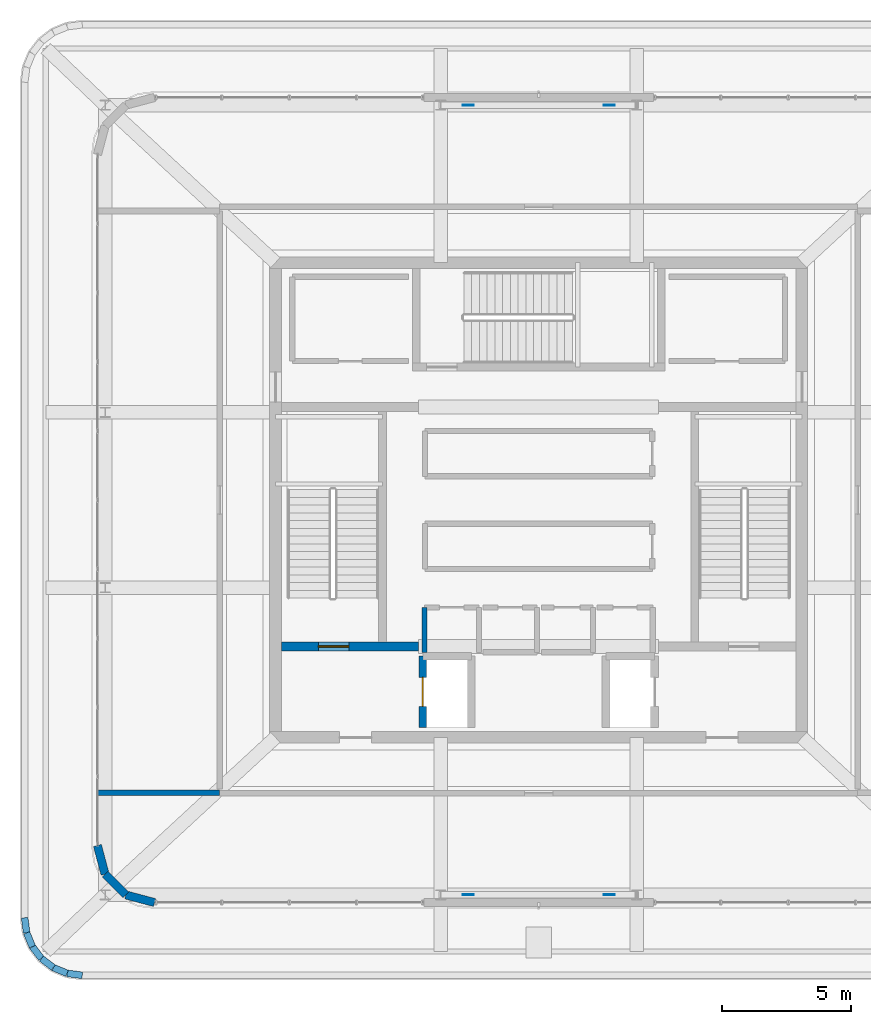
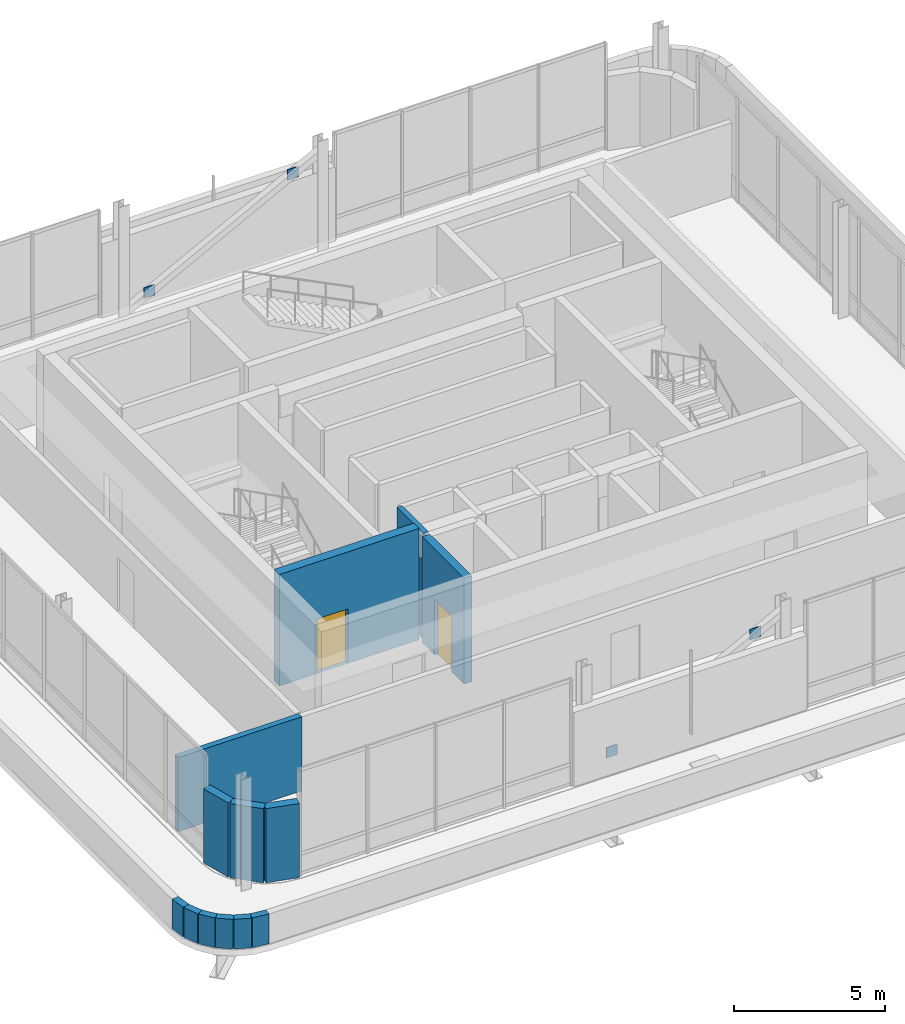
# One storey, part 22 of 28: 13 walls, 4 plates, 2 doors, 2 openings.
"""IFC4 building model written with IfcOpenShell, lengths in metres."""

from ifc_helpers import new_model, si_unit, direction, frame, frame_2d, origin, origin_2d, place, context, subcontext, project, spatial, rectangle, extrude, material, layer, layer_set, type_object, element, fill, save


model = new_model("IFC4")

# Units and contexts
model_context = context("Model", 3, precision=1e-05, world=origin(), true_north=direction((0.0, 1.0)))
body_context = subcontext(model_context, "Body", "Model", "MODEL_VIEW")
ifc_project = project(units=[si_unit("LENGTHUNIT", "METRE"), si_unit("AREAUNIT", "SQUARE_METRE"), si_unit("VOLUMEUNIT", "CUBIC_METRE"), si_unit("PLANEANGLEUNIT", "RADIAN"), si_unit("MASSUNIT", "GRAM", prefix="KILO")], contexts=[model_context])

# Site, building, storey
site_placement = place(None, origin())
site = spatial("IfcSite", under=ifc_project, at=site_placement, CompositionType="ELEMENT")
building_placement = place(site_placement, origin())
building = spatial("IfcBuilding", under=site, at=building_placement, Name="Punatoya Terracotta Tower", CompositionType="ELEMENT")
storey_placement = place(building_placement, frame((0.0, 0.0, 352.800048828125)))
storey = spatial("IfcBuildingStorey", under=building, at=storey_placement, Name="L83", CompositionType="ELEMENT", Elevation=352.800048828125)

# Plates
ifc_material_1 = material(Name="Steel S460", Category="steel")
ifc_layer_1 = layer(ifc_material_1, 0.031982421875)
ifc_layer_set_1 = layer_set([ifc_layer_1], Name="Steel S460")
plate_type = type_object("IfcPlateType", Name="PLT-END-32", PredefinedType="USERDEFINED", material=ifc_layer_set_1)
for number, where, z_axis, x_axis, name in (
    (1, (-2.736083984375, -15.300048828125, 0.364501953125), (0.0, 0.0, 1.0), (1.0, 0.0, 0.0), "L83 Crown Brace S End Plate 1"),
    (2, (2.736083984375, -15.300048828125, 3.215576171875), (0.0, 0.0, 1.0), (1.0, 0.0, 0.0), "L83 Crown Brace S End Plate 2"),
    (3, (-2.736083984375, 15.300048828125, 0.364501953125), (0.0, 0.0, 1.0), (1.0, 0.0, 0.0), "L83 Crown Brace N End Plate 1"),
    (4, (2.736083984375, 15.300048828125, 3.215576171875), (0.0, 0.0, 1.0), (1.0, 0.0, 0.0), "L83 Crown Brace N End Plate 2"),
):
    element("IfcPlate", number, at=place(storey_placement, frame(where, z_axis=z_axis, x_axis=x_axis)), inside=storey, type_object=plate_type, Name=name, ObjectType="FLANGE_PLATE", PredefinedType="USERDEFINED", context=body_context, shape_type="SweptSolid", body=[
        extrude(rectangle(XDim=0.419921875, YDim=0.031982421875, at=origin_2d()), origin(), (0.0, 0.0, 1.0), 0.419921875),
    ])

# Walls
ifc_material_2 = material(Name="Precast concrete C40/50", Category="concrete")
ifc_layer_2 = layer(ifc_material_2, 0.320068359375)
ifc_layer_set_2 = layer_set([ifc_layer_2], Name="Precast concrete C40/50")
wall_type_1 = type_object("IfcWallType", Name="WL-EXT-320", PredefinedType="SOLIDWALL", material=ifc_layer_set_2)
wall_1_placement = place(storey_placement, frame((-17.10009765625, -13.386962890625, 0.0), z_axis=(0.0, 0.0, 1.0), x_axis=(0.257530614576, -0.966270139534, 0.0)))
element("IfcWall", 5, at=wall_1_placement, inside=storey, type_object=wall_type_1, Name="L83 Rounded Terracotta Corner Pier 14", PredefinedType="SOLIDWALL", context=body_context, shape_type="SweptSolid", body=[
    extrude(rectangle(XDim=1.15087890625, YDim=0.320068359375, at=frame_2d((0.575439453125, 0.0))), origin(), (0.0, 0.0, 1.0), 2.993896484375),
])
wall_2_placement = place(storey_placement, frame((-16.8037109375, -14.4990234375, 0.0), z_axis=(0.0, 0.0, 1.0), x_axis=(0.707106781187, -0.707106781187, 0.0)))
element("IfcWall", 6, at=wall_2_placement, inside=storey, type_object=wall_type_1, Name="L83 Rounded Terracotta Corner Pier 15", PredefinedType="SOLIDWALL", context=body_context, shape_type="SweptSolid", body=[
    extrude(rectangle(XDim=1.137939453125, YDim=0.320068359375, at=frame_2d((0.56884765625, 0.0))), origin(), (0.0, 0.0, 1.0), 2.993896484375),
])
wall_3_placement = place(storey_placement, frame((-15.9990234375, -15.3037109375, 0.0), z_axis=(0.0, 0.0, 1.0), x_axis=(0.966270139534, -0.257530614576, 0.0)))
element("IfcWall", 7, at=wall_3_placement, inside=storey, type_object=wall_type_1, Name="L83 Rounded Terracotta Corner Pier 16", PredefinedType="SOLIDWALL", context=body_context, shape_type="SweptSolid", body=[
    extrude(rectangle(XDim=1.15087890625, YDim=0.320068359375, at=frame_2d((0.575439453125, 0.0))), origin(), (0.0, 0.0, 1.0), 2.993896484375),
])
ifc_material_3 = material(Name="Concrete C40/50", Category="concrete")
ifc_layer_3 = layer(ifc_material_3, 0.219970703125)
ifc_layer_set_3 = layer_set([ifc_layer_3], Name="Concrete C40/50")
wall_type_2 = type_object("IfcWallType", Name="WL-FIR-220", PredefinedType="SOLIDWALL", material=ifc_layer_set_3)
wall_4_placement = place(storey_placement, frame((-17.080078125, -11.35009765625, 0.0), z_axis=(0.0, 0.0, 1.0), x_axis=(1.0, 0.0, 0.0)))
element("IfcWall", 8, at=wall_4_placement, inside=storey, type_object=wall_type_2, Name="L83 Crown South Heat-Rejection and Cooling-Tower Plant Partition 26", PredefinedType="SOLIDWALL", context=body_context, shape_type="SweptSolid", body=[
    extrude(rectangle(XDim=4.719970703125, YDim=0.219970703125, at=frame_2d((2.35986328125, 0.0))), origin(), (0.0, 0.0, 1.0), 2.993896484375),
])
ifc_layer_4 = layer(ifc_material_3, 0.199951171875)
ifc_layer_set_4 = layer_set([ifc_layer_4], Name="Concrete C40/50")
wall_type_3 = type_object("IfcWallType", Name="WL-INT-200", PredefinedType="SOLIDWALL", material=ifc_layer_set_4)
wall_5_placement = place(storey_placement, frame((-4.419921875, -4.159912109375, 0.0), z_axis=(0.0, 0.0, 1.0), x_axis=(0.0, -1.0, 0.0)))
element("IfcWall", 9, at=wall_5_placement, inside=storey, type_object=wall_type_3, Name="L83 Staff Male Washroom Partition 03", PredefinedType="SOLIDWALL", context=body_context, shape_type="SweptSolid", body=[
    extrude(rectangle(XDim=1.739990234375, YDim=0.199951171875, at=frame_2d((0.8701171875, 0.0))), origin(), (0.0, 0.0, 1.0), 4.280029296875),
])
ifc_layer_5 = layer(ifc_material_2, 0.260009765625)
ifc_layer_set_5 = layer_set([ifc_layer_5], Name="Precast concrete C40/50")
wall_type_4 = type_object("IfcWallType", Name="WL-PAR-260", PredefinedType="PARAPET", material=ifc_layer_set_5)
wall_6_placement = place(storey_placement, frame((-19.919921875, -16.188232421875, 0.0), z_axis=(0.0, 0.0, 1.0), x_axis=(0.130540000708, -0.991443043354, 0.0)))
element("IfcWall", 10, at=wall_6_placement, inside=storey, type_object=wall_type_4, Name="L83 Roof Parapet Wall PAR-L83-STEP-22", PredefinedType="PARAPET", context=body_context, shape_type="SweptSolid", body=[
    extrude(rectangle(XDim=0.591064453125, YDim=0.260009765625, at=frame_2d((0.29541015625, 0.0))), origin(), (0.0, 0.0, 1.0), 1.199951171875),
])
wall_7_placement = place(storey_placement, frame((-19.8427734375, -16.774169921875, 0.0), z_axis=(0.0, 0.0, 1.0), x_axis=(0.38248836172, -0.923960309293, 0.0)))
element("IfcWall", 11, at=wall_7_placement, inside=storey, type_object=wall_type_4, Name="L83 Roof Parapet Wall PAR-L83-STEP-23", PredefinedType="PARAPET", context=body_context, shape_type="SweptSolid", body=[
    extrude(rectangle(XDim=0.578857421875, YDim=0.260009765625, at=frame_2d((0.28955078125, 0.0))), origin(), (0.0, 0.0, 1.0), 1.199951171875),
])
for number, where, z_axis, x_axis, name in (
    (12, (-19.621337890625, -17.30908203125, 0.0), (0.0, 0.0, 1.0), (0.608528857647, -0.793531744425, 0.0), "L83 Roof Parapet Wall PAR-L83-STEP-24"),
    (13, (-19.268798828125, -17.768798828125, 0.0), (0.0, 0.0, 1.0), (0.793531744425, -0.608528857647, 0.0), "L83 Roof Parapet Wall PAR-L83-STEP-25"),
):
    element("IfcWall", number, at=place(storey_placement, frame(where, z_axis=z_axis, x_axis=x_axis)), inside=storey, type_object=wall_type_4, Name=name, PredefinedType="PARAPET", context=body_context, shape_type="SweptSolid", body=[
        extrude(rectangle(XDim=0.579345703125, YDim=0.260009765625, at=frame_2d((0.28955078125, 0.0))), origin(), (0.0, 0.0, 1.0), 1.199951171875),
    ])
wall_8_placement = place(storey_placement, frame((-18.80908203125, -18.121337890625, 0.0), z_axis=(0.0, 0.0, 1.0), x_axis=(0.923960309293, -0.38248836172, 0.0)))
element("IfcWall", 14, at=wall_8_placement, inside=storey, type_object=wall_type_4, Name="L83 Roof Parapet Wall PAR-L83-STEP-26", PredefinedType="PARAPET", context=body_context, shape_type="SweptSolid", body=[
    extrude(rectangle(XDim=0.578857421875, YDim=0.260009765625, at=frame_2d((0.28955078125, 0.0))), origin(), (0.0, 0.0, 1.0), 1.199951171875),
])
wall_9_placement = place(storey_placement, frame((-18.274169921875, -18.3427734375, 0.0), z_axis=(0.0, 0.0, 1.0), x_axis=(0.991443043354, -0.130540000708, 0.0)))
element("IfcWall", 15, at=wall_9_placement, inside=storey, type_object=wall_type_4, Name="L83 Roof Parapet Wall PAR-L83-STEP-27", PredefinedType="PARAPET", context=body_context, shape_type="SweptSolid", body=[
    extrude(rectangle(XDim=0.591064453125, YDim=0.260009765625, at=frame_2d((0.29541015625, 0.0))), origin(), (0.0, 0.0, 1.0), 1.199951171875),
])

# Wall, opening, door
ifc_layer_6 = layer(ifc_material_3, 0.300048828125)
ifc_layer_set_6 = layer_set([ifc_layer_6], Name="Concrete C40/50")
wall_type_5 = type_object("IfcWallType", Name="WL-SHF-300", PredefinedType="SOLIDWALL", material=ifc_layer_set_6)
wall_10_placement = place(storey_placement, frame((-4.489990234375, -8.820068359375, 0.0), z_axis=(0.0, 0.0, 1.0), x_axis=(0.0, 1.0, 0.0)))
wall_10 = element("IfcWall", 16, at=wall_10_placement, inside=storey, type_object=wall_type_5, Name="L83 FFL-1 Front Hoistway Wall", PredefinedType="SOLIDWALL", context=body_context, shape_type="SweptSolid", body=[
    extrude(rectangle(XDim=2.77001953125, YDim=0.300048828125, at=frame_2d((1.385009765625, 0.0))), origin(), (0.0, 0.0, 1.0), 4.280029296875),
])
opening_1_placement = place(wall_10_placement, frame((0.824951171875, 0.0, 0.0)))
opening_1 = element("IfcOpeningElement", 17, at=opening_1_placement, cuts=wall_10, Name="Opening LD-02", PredefinedType="OPENING", context=body_context, shape_type="SweptSolid", body=[
    extrude(rectangle(XDim=1.1201171875, YDim=2.25, at=frame_2d((0.56005859375, 1.125))), frame((0.0, 0.159912109375, 0.0), z_axis=(0.0, -1.0, 0.0), x_axis=(1.0, 0.0, 0.0)), (0.0, 0.0, 1.0), 0.320068359375),
])
ifc_material_4 = material(Name="Stainless Steel Lift Landing Door", Category="steel")
door_type_1 = type_object("IfcDoorType", Name="DR-LND-1120", OperationType="NOTDEFINED", PredefinedType="DOOR", material=ifc_material_4)
door_1_placement = place(opening_1_placement, origin())
door_1 = element("IfcDoor", 18, at=door_1_placement, inside=storey, type_object=door_type_1, Name="L83 Firefighting Lift FFL-1 Sliding Landing Door", OperationType="SLIDING_TO_LEFT", OverallHeight=2.25, OverallWidth=1.1201171875, PredefinedType="DOOR", context=body_context, shape_type="SweptSolid", body=[
    extrude(rectangle(XDim=1.1201171875, YDim=2.25, at=frame_2d((0.56005859375, 1.125))), frame((0.0, 0.02490234375, 0.0), z_axis=(0.0, -1.0, 0.0), x_axis=(1.0, 0.0, 0.0)), (0.0, 0.0, 1.0), 0.050048828125),
])
fill(opening_1, door_1)

ifc_material_5 = material(Name="Concrete C50/60", Category="concrete")
ifc_layer_7 = layer(ifc_material_5, 0.35009765625)
ifc_layer_set_7 = layer_set([ifc_layer_7], Name="Concrete C50/60")
wall_type_6 = type_object("IfcWallType", Name="WL-SHF-350", PredefinedType="SOLIDWALL", material=ifc_layer_set_7)
wall_11_placement = place(storey_placement, frame((-9.97509765625, -5.679931640625, 0.0), z_axis=(0.0, 0.0, 1.0), x_axis=(1.0, 0.0, 0.0)))
wall_11 = element("IfcWall", 19, at=wall_11_placement, inside=storey, type_object=wall_type_6, Name="L83 Core Web Wall CSW-L", PredefinedType="SOLIDWALL", context=body_context, shape_type="SweptSolid", body=[
    extrude(rectangle(XDim=5.3251953125, YDim=0.35009765625, at=frame_2d((2.66259765625, 0.0))), origin(), (0.0, 0.0, 1.0), 4.5),
])
opening_2_placement = place(wall_11_placement, frame((1.43505859375, 0.0, 0.0)))
opening_2 = element("IfcOpeningElement", 20, at=opening_2_placement, cuts=wall_11, Name="Opening SD-01", PredefinedType="OPENING", context=body_context, shape_type="SweptSolid", body=[
    extrude(rectangle(XDim=1.179931640625, YDim=2.199951171875, at=frame_2d((0.58984375, 1.10009765625))), frame((0.0, 0.18505859375, 0.0), z_axis=(0.0, -1.0, 0.0), x_axis=(1.0, 0.0, 0.0)), (0.0, 0.0, 1.0), 0.3701171875),
])
ifc_material_6 = material(Name="Galvanised Steel Pressurized Stair Fire Door", Category="steel")
door_type_2 = type_object("IfcDoorType", Name="DR-STR-1180", OperationType="NOTDEFINED", PredefinedType="DOOR", material=ifc_material_6)
door_2_placement = place(opening_2_placement, origin())
door_2 = element("IfcDoor", 21, at=door_2_placement, inside=storey, type_object=door_type_2, Name="L83 Stair ST-1 Smokeproof Lobby Fire Door", OperationType="SINGLE_SWING_LEFT", OverallHeight=2.199951171875, OverallWidth=1.179931640625, PredefinedType="DOOR", context=body_context, shape_type="SweptSolid", body=[
    extrude(rectangle(XDim=1.179931640625, YDim=2.199951171875, at=frame_2d((0.58984375, 1.10009765625))), frame((0.0, 0.02490234375, 0.0), z_axis=(0.0, -1.0, 0.0), x_axis=(1.0, 0.0, 0.0)), (0.0, 0.0, 1.0), 0.050048828125),
])
fill(opening_2, door_2)

save(model, "model.ifc")
